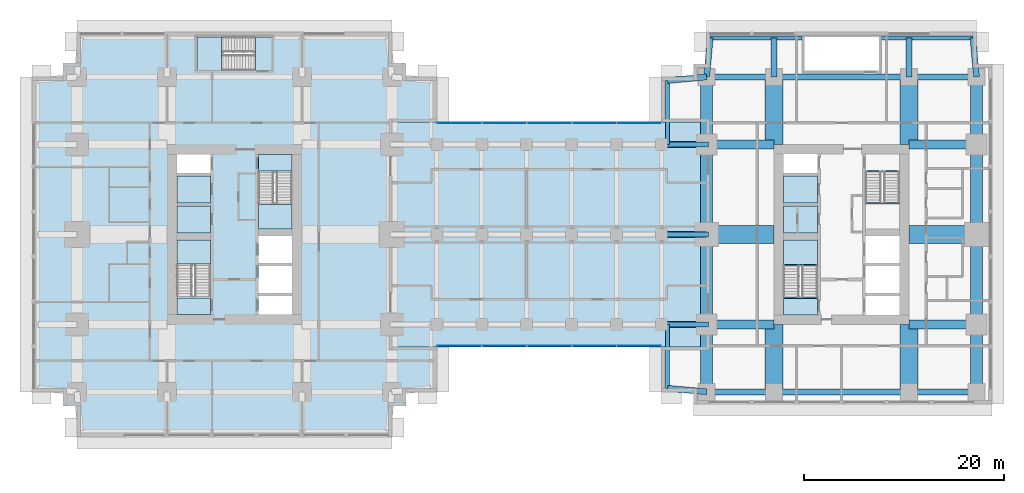
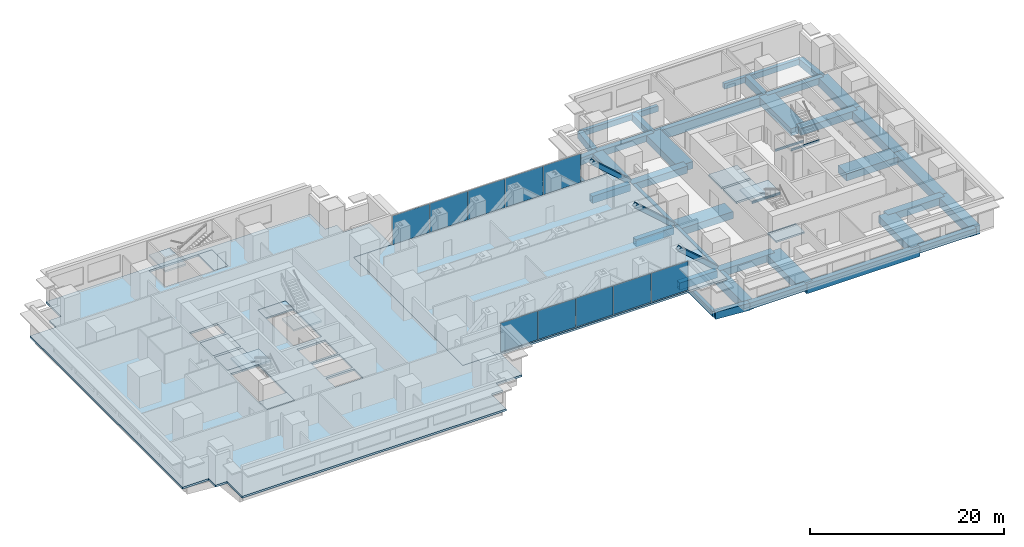
# One storey, part 5 of 14: 41 beams, 14 slabs, 10 plates, 3 members, 6 elements without a shape of their own.
"""IFC4 building model written with IfcOpenShell, lengths in metres."""

import ifcopenshell
import ifcopenshell.guid

model = None  # the IFC model being written
_history = None  # IfcOwnerHistory: only IFC2X3 demands one
_inside = {}  # id of a spatial element -> (the spatial element, [elements in it])
_under = {}  # id of a project, library or spatial element -> (it, [spatial elements below it])
_declared = {}  # id of a project -> (the project, [libraries it declares])
_typed = {}  # id of a type object -> (the type object, [elements of that type])
_made_of = {}  # id of a material, layer set ... -> (it, [elements and type objects made of it])


def new_model(schema):
    """Start an empty IFC model of exactly this schema.

    Asked for "IFC4X3", IfcOpenShell would pick the latest addendum, in which some entities
    have other attributes; the version numbers below select the first issue.
    IFC2X3 requires an IfcOwnerHistory on every rooted entity: one is made here for all.
    """
    global model, _history
    if schema == "IFC4X3":
        model = ifcopenshell.file(schema_version=(4, 3, 0, 0))
    else:
        model = ifcopenshell.file(schema=schema)
    _inside.clear()
    _under.clear()
    _declared.clear()
    _typed.clear()
    _made_of.clear()
    _history = None
    if model.schema == "IFC2X3":
        org = make("IfcOrganization", Name="unknown")
        user = make(
            "IfcPersonAndOrganization",
            ThePerson=make("IfcPerson", FamilyName="unknown"),
            TheOrganization=org,
        )
        app = make(
            "IfcApplication",
            ApplicationDeveloper=org,
            Version="unknown",
            ApplicationFullName="unknown",
            ApplicationIdentifier="unknown",
        )
        _history = make(
            "IfcOwnerHistory",
            OwningUser=user,
            OwningApplication=app,
            ChangeAction="ADDED",
            CreationDate=0,
        )
    return model


def make(cls, **values):
    """One entity of the class cls with the attributes given. An attribute that is None is left unset."""
    return model.create_entity(
        cls, **{name: value for name, value in values.items() if value is not None}
    )


def rooted(cls, **values):
    """An entity with a GlobalId (a new one), such as an element, a storey or a relation."""
    return make(cls, GlobalId=ifcopenshell.guid.new(), OwnerHistory=_history, **values)


def si_unit(unit_type, name, prefix=None):
    """IfcSIUnit, for example si_unit("LENGTHUNIT", "METRE", prefix="MILLI")."""
    return make("IfcSIUnit", UnitType=unit_type, Prefix=prefix, Name=name)


def assignment(units):
    """IfcUnitAssignment: the units of a project."""
    return None if units is None else make("IfcUnitAssignment", Units=units)


def point(xyz):
    """IfcCartesianPoint."""
    return None if xyz is None else make("IfcCartesianPoint", Coordinates=xyz)


def direction(xyz):
    """IfcDirection."""
    return None if xyz is None else make("IfcDirection", DirectionRatios=xyz)


def frame(location, z_axis=None, x_axis=None):
    """IfcAxis2Placement3D, a coordinate frame: its origin and axes. An axis left out is left unset."""
    return make(
        "IfcAxis2Placement3D",
        Location=point(location),
        Axis=direction(z_axis),
        RefDirection=direction(x_axis),
    )


def frame_2d(location, x_axis=None):
    """IfcAxis2Placement2D, a coordinate frame in the plane: its origin and x axis."""
    return make(
        "IfcAxis2Placement2D", Location=point(location), RefDirection=direction(x_axis)
    )


def origin():
    """The frame at (0, 0, 0) with its axes left unset."""
    return frame((0.0, 0.0, 0.0))


def origin_2d():
    """The frame at (0, 0) in the plane with its x axis left unset."""
    return frame_2d((0.0, 0.0))


def place(relative_to, where):
    """IfcLocalPlacement: puts the frame where relative to a parent placement (None: the world)."""
    return make(
        "IfcLocalPlacement", PlacementRelTo=relative_to, RelativePlacement=where
    )


def context(
    kind, dimensions, precision=None, world=None, true_north=None, identifier=None
):
    """IfcGeometricRepresentationContext, for example the 3D "Model" context."""
    return make(
        "IfcGeometricRepresentationContext",
        ContextIdentifier=identifier,
        ContextType=kind,
        CoordinateSpaceDimension=dimensions,
        Precision=precision,
        WorldCoordinateSystem=world,
        TrueNorth=true_north,
    )


def subcontext(parent, identifier, kind, view, scale=None):
    """IfcGeometricRepresentationSubContext, for example "Body" below "Model"."""
    return make(
        "IfcGeometricRepresentationSubContext",
        ContextIdentifier=identifier,
        ContextType=kind,
        ParentContext=parent,
        TargetScale=scale,
        TargetView=view,
    )


def project(units=None, contexts=None):
    """IfcProject with its units and contexts."""
    return rooted(
        "IfcProject",
        Name="project",
        RepresentationContexts=contexts,
        UnitsInContext=assignment(units),
    )


def spatial(cls, under=None, at=None, **own):
    """A site, building, storey or space (cls), placed at a placement, below another one or the project."""
    s = rooted(cls, ObjectPlacement=at, **own)
    if under is not None:
        _under.setdefault(under.id(), (under, []))[1].append(s)
    return s


def polyline(points):
    """IfcPolyline through the points."""
    return make("IfcPolyline", Points=[point(p) for p in points])


def profile(cls, at=None, kind="AREA", **sizes):
    """A parametric profile (cls). Its sizes go by their IFC names, for example OverallWidth=200.0."""
    return make(cls, ProfileType=kind, Position=at, **sizes)


def rectangle(**sizes):
    """IfcRectangleProfileDef."""
    return profile("IfcRectangleProfileDef", **sizes)


def hollow_rectangle(**sizes):
    """IfcRectangleHollowProfileDef."""
    return profile("IfcRectangleHollowProfileDef", **sizes)


def i_section(**sizes):
    """IfcIShapeProfileDef."""
    return profile("IfcIShapeProfileDef", **sizes)


def outline(outer, holes=None, kind="AREA"):
    """IfcArbitraryClosedProfileDef: a profile drawn as a closed curve; with holes, ...WithVoids."""
    if holes is None:
        return make("IfcArbitraryClosedProfileDef", ProfileType=kind, OuterCurve=outer)
    return make(
        "IfcArbitraryProfileDefWithVoids",
        ProfileType=kind,
        OuterCurve=outer,
        InnerCurves=holes,
    )


def extrude(swept, where, along, depth):
    """IfcExtrudedAreaSolid: the profile swept, set in the frame where, extruded along a direction by depth."""
    return make(
        "IfcExtrudedAreaSolid",
        SweptArea=swept,
        Position=where,
        ExtrudedDirection=direction(along),
        Depth=depth,
    )


def shape(context_of_items, identifier, shape_type, items):
    """IfcShapeRepresentation: the items that make up one representation, for example the "Body"."""
    return make(
        "IfcShapeRepresentation",
        ContextOfItems=context_of_items,
        RepresentationIdentifier=identifier,
        RepresentationType=shape_type,
        Items=items,
    )


def material(Name=None, Category=None):
    """IfcMaterial."""
    return make("IfcMaterial", Name=Name, Category=Category)


def layer(
    of_material, thickness, ventilated=None, Name=None, Category=None, Priority=None
):
    """IfcMaterialLayer: one layer of a wall or slab, of a material (None: an air gap)."""
    return make(
        "IfcMaterialLayer",
        Material=of_material,
        LayerThickness=thickness,
        IsVentilated=ventilated,
        Name=Name,
        Category=Category,
        Priority=Priority,
    )


def layer_set(layers, Name=None):
    """IfcMaterialLayerSet."""
    return make("IfcMaterialLayerSet", MaterialLayers=layers, LayerSetName=Name)


def material_profile(
    of_material, cross_section, Name=None, Category=None, Priority=None
):
    """IfcMaterialProfile: a cross section and its material."""
    return make(
        "IfcMaterialProfile",
        Name=Name,
        Material=of_material,
        Profile=cross_section,
        Priority=Priority,
        Category=Category,
    )


def profile_set(profiles, Name=None, composite=None):
    """IfcMaterialProfileSet."""
    return make(
        "IfcMaterialProfileSet",
        Name=Name,
        MaterialProfiles=profiles,
        CompositeProfile=composite,
    )


def made_of(thing, what):
    """Note that an element or type object is made of a material, layer set ...; save() writes the relation."""
    if what is not None:
        _made_of.setdefault(what.id(), (what, []))[1].append(thing)
    return thing


def type_object(cls, material=None, **own):
    """A type object (cls), such as IfcWallType, which elements share."""
    return made_of(rooted(cls, **own), material)


def element(
    cls,
    number,
    at=None,
    inside=None,
    cuts=None,
    type_object=None,
    material=None,
    context=None,
    identifier="Body",
    shape_type=None,
    held_by="IfcProductDefinitionShape",
    body=None,
    shapes=None,
    **own,
):
    """One element of the class cls, such as IfcWall. Its Tag is "e" and its number.

    at: its placement. inside: the storey or other place that contains it. cuts: it is an
    opening in that element (IfcRelVoidsElement). A single representation is given by context,
    identifier, shape_type and body (its items); several are given by shapes. held_by: the class
    of the entity that holds the representations. save() writes the other relations.
    """
    e = rooted(cls, Tag="e%d" % number, ObjectPlacement=at, **own)
    if body is not None:
        shapes = [shape(context, identifier, shape_type, body)]
    if shapes is not None:
        e.Representation = make(held_by, Representations=shapes)
    if inside is not None:
        _inside.setdefault(inside.id(), (inside, []))[1].append(e)
    if cuts is not None:
        rooted(
            "IfcRelVoidsElement", RelatingBuildingElement=cuts, RelatedOpeningElement=e
        )
    if type_object is not None:
        _typed.setdefault(type_object.id(), (type_object, []))[1].append(e)
    return made_of(e, material)


def aggregate(whole, parts):
    """IfcRelAggregates: a whole, such as a stair, and the parts it consists of."""
    return rooted("IfcRelAggregates", RelatingObject=whole, RelatedObjects=parts)


def save(model, path):
    """Write the relations noted so far, then the file.

    IfcRelAggregates (storeys below a building ...), IfcRelContainedInSpatialStructure (elements
    in a storey), IfcRelDefinesByType, IfcRelAssociatesMaterial and IfcRelDeclares: one each for
    every whole, place, type object, material and project.
    """
    for whole, parts in _under.values():
        aggregate(whole, parts)
    for where, things in _inside.values():
        rooted(
            "IfcRelContainedInSpatialStructure",
            RelatedElements=things,
            RelatingStructure=where,
        )
    for kind, things in _typed.values():
        rooted("IfcRelDefinesByType", RelatedObjects=things, RelatingType=kind)
    for what, things in _made_of.values():
        rooted("IfcRelAssociatesMaterial", RelatedObjects=things, RelatingMaterial=what)
    for by, libraries in _declared.values():
        rooted("IfcRelDeclares", RelatingContext=by, RelatedDefinitions=libraries)
    model.write(path)


model = new_model("IFC4")

# Units and contexts
model_context = context("Model", 3, precision=1e-05, world=origin(), true_north=direction((0.0, 1.0)))
body_context = subcontext(model_context, "Body", "Model", "MODEL_VIEW")
ifc_project = project(units=[si_unit("LENGTHUNIT", "METRE"), si_unit("AREAUNIT", "SQUARE_METRE"), si_unit("VOLUMEUNIT", "CUBIC_METRE"), si_unit("PLANEANGLEUNIT", "RADIAN"), si_unit("MASSUNIT", "GRAM", prefix="KILO")], contexts=[model_context])

# Site, building, storey
site_placement = place(None, origin())
site = spatial("IfcSite", under=ifc_project, at=site_placement, CompositionType="ELEMENT")
building_placement = place(site_placement, origin())
building = spatial("IfcBuilding", under=site, at=building_placement, Name="Namib Vertical Campus", CompositionType="ELEMENT")
storey_placement = place(building_placement, frame((0.0, 0.0, 133.0)))
storey = spatial("IfcBuildingStorey", under=building, at=storey_placement, Name="L31", CompositionType="ELEMENT", Elevation=133.0)

# Members
ifc_material_1 = material(Name="Steel S355JR", Category="steel")
ifc_material_profile_1 = material_profile(ifc_material_1, hollow_rectangle(XDim=0.5, YDim=0.5, WallThickness=0.031982421875, at=origin_2d()))
ifc_profile_set_1 = profile_set([ifc_material_profile_1], Name="Steel S355JR")
member_type = type_object("IfcMemberType", Name="Bridge end brace WB 500x500x32", PredefinedType="BRACE", material=ifc_profile_set_1)
for number, where, z_axis, x_axis, name in (
    (1, (67.5, 11.25, 0.0), (-0.747409318684, 0.0, 0.66436383883), (0.0, -1.0, 0.0), "Bridge brace BX1 L31 T1 bay 7"),
    (2, (67.5, 20.25, 0.0), (-0.747409318684, 0.0, 0.66436383883), (0.0, -1.0, 0.0), "Bridge brace BX1 L31 T2 bay 7"),
    (3, (67.5, 29.25, 0.0), (-0.747409318684, 0.0, 0.66436383883), (0.0, -1.0, 0.0), "Bridge brace BX1 L31 T3 bay 7"),
):
    element("IfcMember", number, at=place(storey_placement, frame(where, z_axis=z_axis, x_axis=x_axis)), inside=storey, type_object=member_type, Name=name, PredefinedType="BRACE", context=body_context, shape_type="SweptSolid", body=[
        extrude(hollow_rectangle(XDim=0.5, YDim=0.5, WallThickness=0.031982421875, at=origin_2d()), origin(), (0.0, 0.0, 1.0), 6.020751953125),
    ])

# Beams
ifc_material_2 = material(Name="Steel S355JR", Category="steel")
ifc_material_profile_2 = material_profile(ifc_material_2, hollow_rectangle(XDim=0.60009765625, YDim=0.89990234375, WallThickness=0.050048828125, at=origin_2d()))
ifc_profile_set_2 = profile_set([ifc_material_profile_2], Name="Steel S355JR")
beam_type_1 = type_object("IfcBeamType", Name="Bridge girder WB 900x600x50", PredefinedType="BEAM", material=ifc_profile_set_2)
for number, where, z_axis, x_axis, name in (
    (4, (63.0, 11.25, -0.699951171875), (1.0, 0.0, 0.0), (0.0, 1.0, 0.0), "Bridge girder BG1 L31"),
    (5, (63.0, 20.25, -0.699951171875), (1.0, 0.0, 0.0), (0.0, 1.0, 0.0), "Bridge girder BG1 L31"),
    (6, (63.0, 29.25, -0.699951171875), (1.0, 0.0, 0.0), (0.0, 1.0, 0.0), "Bridge girder BG1 L31"),
):
    element("IfcBeam", number, at=place(storey_placement, frame(where, z_axis=z_axis, x_axis=x_axis)), inside=storey, type_object=beam_type_1, Name=name, PredefinedType="BEAM", context=body_context, shape_type="SweptSolid", body=[
        extrude(hollow_rectangle(XDim=0.60009765625, YDim=0.89990234375, WallThickness=0.050048828125, at=origin_2d()), origin(), (0.0, 0.0, 1.0), 4.5),
    ])
ifc_material_3 = material(Name="Concrete C40/50", Category="concrete")
ifc_material_profile_3 = material_profile(ifc_material_3, rectangle(XDim=0.60009765625, YDim=0.89990234375, at=origin_2d()))
ifc_profile_set_3 = profile_set([ifc_material_profile_3], Name="Concrete C40/50")
beam_type_2 = type_object("IfcBeamType", Name="Cantilever girder RC 600x900", PredefinedType="BEAM", material=ifc_profile_set_3)
beam_1_placement = place(storey_placement, frame((67.5, 36.0, -0.699951171875), z_axis=(0.089411326146, 0.995994786511, 0.0), x_axis=(-0.995994786511, 0.089411326146, 0.0)))
element("IfcBeam", 7, at=beam_1_placement, inside=storey, type_object=beam_type_2, Name="Beam B3 L31", PredefinedType="BEAM", context=body_context, shape_type="SweptSolid", body=[
    extrude(rectangle(XDim=0.60009765625, YDim=0.89990234375, at=origin_2d()), origin(), (0.0, 0.0, 1.0), 3.91552734375),
])
for number, where, z_axis, x_axis, name in (
    (8, (74.25, 36.0, -0.699951171875), (0.0, 1.0, 0.0), (-1.0, 0.0, 0.0), "Beam B3 L31"),
    (9, (87.75, 36.0, -0.699951171875), (0.0, 1.0, 0.0), (-1.0, 0.0, 0.0), "Beam B3 L31"),
):
    element("IfcBeam", number, at=place(storey_placement, frame(where, z_axis=z_axis, x_axis=x_axis)), inside=storey, type_object=beam_type_2, Name=name, PredefinedType="BEAM", context=body_context, shape_type="SweptSolid", body=[
        extrude(rectangle(XDim=0.60009765625, YDim=0.89990234375, at=origin_2d()), origin(), (0.0, 0.0, 1.0), 3.89990234375),
    ])
for number, where, z_axis, x_axis, name in (
    (10, (94.5, 36.0, -0.699951171875), (-0.089411326146, 0.995994786511, 0.0), (-0.995994786511, -0.089411326146, 0.0), "Beam B3 L31"),
    (11, (67.5, 4.5, -0.699951171875), (-0.995994786511, 0.089411326146, 0.0), (-0.089411326146, -0.995994786511, 0.0), "Beam B3 L31"),
    (12, (67.5, 36.0, -0.699951171875), (-0.995994786511, -0.089411326146, 0.0), (0.089411326146, -0.995994786511, 0.0), "Beam B3 L31"),
):
    element("IfcBeam", number, at=place(storey_placement, frame(where, z_axis=z_axis, x_axis=x_axis)), inside=storey, type_object=beam_type_2, Name=name, PredefinedType="BEAM", context=body_context, shape_type="SweptSolid", body=[
        extrude(rectangle(XDim=0.60009765625, YDim=0.89990234375, at=origin_2d()), origin(), (0.0, 0.0, 1.0), 3.91552734375),
    ])
ifc_material_4 = material(Name="Concrete C40/50", Category="concrete")
ifc_material_profile_4 = material_profile(ifc_material_4, rectangle(XDim=0.39990234375, YDim=0.699951171875, at=origin_2d()))
ifc_profile_set_4 = profile_set([ifc_material_profile_4], Name="Concrete C40/50")
beam_type_3 = type_object("IfcBeamType", Name="Edge beam RC 400x700", PredefinedType="SPANDREL", material=ifc_profile_set_4)
for number, where, z_axis, x_axis, name in (
    (13, (67.85009765625, 39.89990234375, -0.60009765625), (1.0, 0.0, 0.0), (0.0, 1.0, 0.0), "Beam B4 L31"),
    (14, (84.949951171875, 39.89990234375, -0.60009765625), (1.0, 0.0, 0.0), (0.0, 1.0, 0.0), "Beam B4 L31"),
):
    element("IfcBeam", number, at=place(storey_placement, frame(where, z_axis=z_axis, x_axis=x_axis)), inside=storey, type_object=beam_type_3, Name=name, PredefinedType="SPANDREL", context=body_context, shape_type="SweptSolid", body=[
        extrude(rectangle(XDim=0.39990234375, YDim=0.699951171875, at=origin_2d()), origin(), (0.0, 0.0, 1.0), 9.199951171875),
    ])
for number, where, z_axis, x_axis, name in (
    (15, (63.60009765625, 4.85009765625, -0.60009765625), (0.0, 1.0, 0.0), (-1.0, 0.0, 0.0), "Beam B4 L31"),
    (16, (63.60009765625, 29.25, -0.60009765625), (0.0, 1.0, 0.0), (-1.0, 0.0, 0.0), "Beam B4 L31"),
):
    element("IfcBeam", number, at=place(storey_placement, frame(where, z_axis=z_axis, x_axis=x_axis)), inside=storey, type_object=beam_type_3, Name=name, PredefinedType="SPANDREL", context=body_context, shape_type="SweptSolid", body=[
        extrude(rectangle(XDim=0.39990234375, YDim=0.699951171875, at=origin_2d()), origin(), (0.0, 0.0, 1.0), 6.39990234375),
    ])
ifc_material_5 = material(Name="Concrete C40/50", Category="concrete")
ifc_material_profile_5 = material_profile(ifc_material_5, rectangle(XDim=0.89990234375, YDim=0.89990234375, at=origin_2d()))
ifc_profile_set_5 = profile_set([ifc_material_profile_5], Name="Concrete C40/50")
beam_type_4 = type_object("IfcBeamType", Name="Face girder RC 900x900", PredefinedType="BEAM", material=ifc_profile_set_5)
for number, where, z_axis, x_axis, name in (
    (17, (67.5, 11.25, -0.699951171875), (1.0, 0.0, 0.0), (0.0, 1.0, 0.0), "Beam B10 L31"),
    (18, (94.5, 11.25, -0.699951171875), (-1.0, 0.0, 0.0), (0.0, -1.0, 0.0), "Beam B10 L31"),
    (19, (67.5, 29.25, -0.699951171875), (1.0, 0.0, 0.0), (0.0, 1.0, 0.0), "Beam B10 L31"),
    (20, (94.5, 29.25, -0.699951171875), (-1.0, 0.0, 0.0), (0.0, -1.0, 0.0), "Beam B10 L31"),
):
    element("IfcBeam", number, at=place(storey_placement, frame(where, z_axis=z_axis, x_axis=x_axis)), inside=storey, type_object=beam_type_4, Name=name, PredefinedType="BEAM", context=body_context, shape_type="SweptSolid", body=[
        extrude(rectangle(XDim=0.89990234375, YDim=0.89990234375, at=origin_2d()), origin(), (0.0, 0.0, 1.0), 6.75),
    ])
ifc_material_6 = material(Name="Concrete C40/50", Category="concrete")
ifc_material_profile_6 = material_profile(ifc_material_6, rectangle(XDim=1.199951171875, YDim=1.10009765625, at=origin_2d()))
ifc_profile_set_6 = profile_set([ifc_material_profile_6], Name="Concrete C40/50")
beam_type_5 = type_object("IfcBeamType", Name="Face ring beam RC 1200x1100", PredefinedType="BEAM", material=ifc_profile_set_6)
beam_2_placement = place(storey_placement, frame((67.5, 4.5, -0.800048828125), z_axis=(0.0, 1.0, 0.0), x_axis=(-1.0, 0.0, 0.0)))
element("IfcBeam", 21, at=beam_2_placement, inside=storey, type_object=beam_type_5, Name="Beam B11 L31", PredefinedType="BEAM", context=body_context, shape_type="SweptSolid", body=[
    extrude(rectangle(XDim=1.199951171875, YDim=1.10009765625, at=origin_2d()), origin(), (0.0, 0.0, 1.0), 6.75),
])
for number, where, z_axis, x_axis, name in (
    (22, (67.5, 11.25, -0.800048828125), (0.0, 1.0, 0.0), (-1.0, 0.0, 0.0), "Beam B11 L31"),
    (23, (67.5, 20.25, -0.800048828125), (0.0, 1.0, 0.0), (-1.0, 0.0, 0.0), "Beam B11 L31"),
):
    element("IfcBeam", number, at=place(storey_placement, frame(where, z_axis=z_axis, x_axis=x_axis)), inside=storey, type_object=beam_type_5, Name=name, PredefinedType="BEAM", context=body_context, shape_type="SweptSolid", body=[
        extrude(rectangle(XDim=1.199951171875, YDim=1.10009765625, at=origin_2d()), origin(), (0.0, 0.0, 1.0), 9.0),
    ])
for number, where, z_axis, x_axis, name in (
    (24, (67.5, 29.25, -0.800048828125), (0.0, 1.0, 0.0), (-1.0, 0.0, 0.0), "Beam B11 L31"),
    (25, (94.5, 4.5, -0.800048828125), (0.0, 1.0, 0.0), (-1.0, 0.0, 0.0), "Beam B11 L31"),
):
    element("IfcBeam", number, at=place(storey_placement, frame(where, z_axis=z_axis, x_axis=x_axis)), inside=storey, type_object=beam_type_5, Name=name, PredefinedType="BEAM", context=body_context, shape_type="SweptSolid", body=[
        extrude(rectangle(XDim=1.199951171875, YDim=1.10009765625, at=origin_2d()), origin(), (0.0, 0.0, 1.0), 6.75),
    ])
for number, where, z_axis, x_axis, name in (
    (26, (94.5, 11.25, -0.800048828125), (0.0, 1.0, 0.0), (-1.0, 0.0, 0.0), "Beam B11 L31"),
    (27, (94.5, 20.25, -0.800048828125), (0.0, 1.0, 0.0), (-1.0, 0.0, 0.0), "Beam B11 L31"),
):
    element("IfcBeam", number, at=place(storey_placement, frame(where, z_axis=z_axis, x_axis=x_axis)), inside=storey, type_object=beam_type_5, Name=name, PredefinedType="BEAM", context=body_context, shape_type="SweptSolid", body=[
        extrude(rectangle(XDim=1.199951171875, YDim=1.10009765625, at=origin_2d()), origin(), (0.0, 0.0, 1.0), 9.0),
    ])
beam_3_placement = place(storey_placement, frame((94.5, 29.25, -0.800048828125), z_axis=(0.0, 1.0, 0.0), x_axis=(-1.0, 0.0, 0.0)))
element("IfcBeam", 28, at=beam_3_placement, inside=storey, type_object=beam_type_5, Name="Beam B11 L31", PredefinedType="BEAM", context=body_context, shape_type="SweptSolid", body=[
    extrude(rectangle(XDim=1.199951171875, YDim=1.10009765625, at=origin_2d()), origin(), (0.0, 0.0, 1.0), 6.75),
])
ifc_material_7 = material(Name="Steel S355JR", Category="steel")
ifc_material_profile_7 = material_profile(ifc_material_7, i_section(OverallWidth=0.14599609375, OverallDepth=0.25146484375, WebThickness=0.006103515625, FlangeThickness=0.008544921875, FilletRadius=0.007568359375, at=origin_2d()))
ifc_profile_set_7 = profile_set([ifc_material_profile_7], Name="Steel S355JR")
beam_type_6 = type_object("IfcBeamType", Name="Landing trimmer UB 254x146x31", PredefinedType="BEAM", material=ifc_profile_set_7)
for number, where, z_axis, x_axis, name in (
    (29, (75.199951171875, 13.927001953125, -0.125732421875), (1.0, 0.0, 0.0), (0.0, 1.0, 0.0), "Landing trimmer LT1 B-S1 L31 1"),
    (30, (75.199951171875, 17.153076171875, 1.874267578125), (1.0, 0.0, 0.0), (0.0, 1.0, 0.0), "Landing trimmer LT1 B-S1 L31 2"),
    (31, (83.39990234375, 26.572998046875, -0.125732421875), (1.0, 0.0, 0.0), (0.0, 1.0, 0.0), "Landing trimmer LT1 B-S2 L31 1"),
    (32, (83.39990234375, 23.346923828125, 1.874267578125), (1.0, 0.0, 0.0), (0.0, 1.0, 0.0), "Landing trimmer LT1 B-S2 L31 2"),
):
    element("IfcBeam", number, at=place(storey_placement, frame(where, z_axis=z_axis, x_axis=x_axis)), inside=storey, type_object=beam_type_6, Name=name, PredefinedType="BEAM", context=body_context, shape_type="SweptSolid", body=[
        extrude(i_section(OverallWidth=0.14599609375, OverallDepth=0.25146484375, WebThickness=0.006103515625, FlangeThickness=0.008544921875, FilletRadius=0.007568359375, at=origin_2d()), origin(), (0.0, 0.0, 1.0), 3.400146484375),
    ])
ifc_material_8 = material(Name="Concrete C40/50", Category="concrete")
ifc_material_profile_8 = material_profile(ifc_material_8, rectangle(XDim=0.60009765625, YDim=1.199951171875, at=origin_2d()))
ifc_profile_set_8 = profile_set([ifc_material_profile_8], Name="Concrete C40/50")
beam_type_7 = type_object("IfcBeamType", Name="Long-span ring beam RC 600x1200", PredefinedType="BEAM", material=ifc_profile_set_8)
for number, where, z_axis, x_axis, name in (
    (33, (74.25, 4.5, -0.85009765625), (1.0, 0.0, 0.0), (0.0, 1.0, 0.0), "Beam B9 L31"),
    (34, (74.25, 36.0, -0.85009765625), (1.0, 0.0, 0.0), (0.0, 1.0, 0.0), "Beam B9 L31"),
):
    element("IfcBeam", number, at=place(storey_placement, frame(where, z_axis=z_axis, x_axis=x_axis)), inside=storey, type_object=beam_type_7, Name=name, PredefinedType="BEAM", context=body_context, shape_type="SweptSolid", body=[
        extrude(rectangle(XDim=0.60009765625, YDim=1.199951171875, at=origin_2d()), origin(), (0.0, 0.0, 1.0), 13.5),
    ])
ifc_material_9 = material(Name="Concrete C40/50", Category="concrete")
ifc_material_profile_9 = material_profile(ifc_material_9, rectangle(XDim=1.800048828125, YDim=0.89990234375, at=origin_2d()))
ifc_profile_set_9 = profile_set([ifc_material_profile_9], Name="Concrete C40/50")
beam_type_8 = type_object("IfcBeamType", Name="Outrigger line girder RC 1800x900", PredefinedType="BEAM", material=ifc_profile_set_9)
for number, where, z_axis, x_axis, name in (
    (35, (74.25, 4.5, -0.699951171875), (0.0, 1.0, 0.0), (-1.0, 0.0, 0.0), "Beam B12 L31"),
    (36, (74.25, 36.0, -0.699951171875), (0.0, -1.0, 0.0), (1.0, 0.0, 0.0), "Beam B12 L31"),
    (37, (87.75, 4.5, -0.699951171875), (0.0, 1.0, 0.0), (-1.0, 0.0, 0.0), "Beam B12 L31"),
    (38, (87.75, 36.0, -0.699951171875), (0.0, -1.0, 0.0), (1.0, 0.0, 0.0), "Beam B12 L31"),
    (39, (67.5, 20.25, -0.699951171875), (1.0, 0.0, 0.0), (0.0, 1.0, 0.0), "Beam B12 L31"),
    (40, (94.5, 20.25, -0.699951171875), (-1.0, 0.0, 0.0), (0.0, -1.0, 0.0), "Beam B12 L31"),
):
    element("IfcBeam", number, at=place(storey_placement, frame(where, z_axis=z_axis, x_axis=x_axis)), inside=storey, type_object=beam_type_8, Name=name, PredefinedType="BEAM", context=body_context, shape_type="SweptSolid", body=[
        extrude(rectangle(XDim=1.800048828125, YDim=0.89990234375, at=origin_2d()), origin(), (0.0, 0.0, 1.0), 6.75),
    ])
ifc_material_10 = material(Name="Concrete C40/50", Category="concrete")
ifc_material_profile_10 = material_profile(ifc_material_10, rectangle(XDim=0.60009765625, YDim=0.800048828125, at=origin_2d()))
ifc_profile_set_10 = profile_set([ifc_material_profile_10], Name="Concrete C40/50")
beam_type_9 = type_object("IfcBeamType", Name="Ring beam RC 600x800", PredefinedType="BEAM", material=ifc_profile_set_10)
for number, where, z_axis, x_axis, name in (
    (41, (67.5, 4.5, -0.64990234375), (1.0, 0.0, 0.0), (0.0, 1.0, 0.0), "Beam B1 L31"),
    (42, (87.75, 4.5, -0.64990234375), (1.0, 0.0, 0.0), (0.0, 1.0, 0.0), "Beam B1 L31"),
    (43, (67.5, 36.0, -0.64990234375), (1.0, 0.0, 0.0), (0.0, 1.0, 0.0), "Beam B1 L31"),
    (44, (87.75, 36.0, -0.64990234375), (1.0, 0.0, 0.0), (0.0, 1.0, 0.0), "Beam B1 L31"),
):
    element("IfcBeam", number, at=place(storey_placement, frame(where, z_axis=z_axis, x_axis=x_axis)), inside=storey, type_object=beam_type_9, Name=name, PredefinedType="BEAM", context=body_context, shape_type="SweptSolid", body=[
        extrude(rectangle(XDim=0.60009765625, YDim=0.800048828125, at=origin_2d()), origin(), (0.0, 0.0, 1.0), 6.75),
    ])

# Curtain wall, plates
ifc_material_11 = material(Name="Black aluminium curtain wall", Category="aluminium")
ifc_layer_1 = layer(ifc_material_11, 0.199951171875)
ifc_layer_set_1 = layer_set([ifc_layer_1], Name="Bridge curtain wall CW-BR")
curtain_wall_type = type_object("IfcCurtainWallType", Name="Bridge curtain wall CW-BR", PredefinedType="USERDEFINED", material=ifc_layer_set_1)
curtain_wall_1_placement = place(storey_placement, origin())
curtain_wall_1 = element("IfcCurtainWall", 45, at=curtain_wall_1_placement, inside=storey, type_object=curtain_wall_type, Name="Curtain wall CW-BR L31 S", ObjectType="CURTAIN WALL", PredefinedType="USERDEFINED")
ifc_material_12 = material(Name="Dark tinted glass", Category="glass")
ifc_layer_2 = layer(ifc_material_12, 0.028076171875)
ifc_layer_set_2 = layer_set([ifc_layer_2], Name="Dark solar glass panel 28")
plate_type = type_object("IfcPlateType", Name="Dark solar glass panel 28", PredefinedType="CURTAIN_PANEL", material=ifc_layer_set_2)
plate_1_placement = place(storey_placement, frame((42.764892578125, 9.10009765625, 0.06005859375), z_axis=(0.0, 0.0, 1.0), x_axis=(1.0, 0.0, 0.0)))
plate_1 = element("IfcPlate", 46, at=plate_1_placement, type_object=plate_type, Name="CW-BR panel 1.1", PredefinedType="CURTAIN_PANEL", context=body_context, shape_type="SweptSolid", body=[
    extrude(rectangle(XDim=4.409912109375, YDim=0.028076171875, at=origin_2d()), origin(), (0.0, 0.0, 1.0), 3.6298828125),
])
plate_2_placement = place(storey_placement, frame((47.25, 9.10009765625, 0.06005859375), z_axis=(0.0, 0.0, 1.0), x_axis=(1.0, 0.0, 0.0)))
plate_2 = element("IfcPlate", 47, at=plate_2_placement, type_object=plate_type, Name="CW-BR panel 2.1", PredefinedType="CURTAIN_PANEL", context=body_context, shape_type="SweptSolid", body=[
    extrude(rectangle(XDim=4.43994140625, YDim=0.028076171875, at=origin_2d()), origin(), (0.0, 0.0, 1.0), 3.6298828125),
])
plate_3_placement = place(storey_placement, frame((51.75, 9.10009765625, 0.06005859375), z_axis=(0.0, 0.0, 1.0), x_axis=(1.0, 0.0, 0.0)))
plate_3 = element("IfcPlate", 48, at=plate_3_placement, type_object=plate_type, Name="CW-BR panel 3.1", PredefinedType="CURTAIN_PANEL", context=body_context, shape_type="SweptSolid", body=[
    extrude(rectangle(XDim=4.43994140625, YDim=0.028076171875, at=origin_2d()), origin(), (0.0, 0.0, 1.0), 3.6298828125),
])
plate_4_placement = place(storey_placement, frame((56.25, 9.10009765625, 0.06005859375), z_axis=(0.0, 0.0, 1.0), x_axis=(1.0, 0.0, 0.0)))
plate_4 = element("IfcPlate", 49, at=plate_4_placement, type_object=plate_type, Name="CW-BR panel 4.1", PredefinedType="CURTAIN_PANEL", context=body_context, shape_type="SweptSolid", body=[
    extrude(rectangle(XDim=4.43994140625, YDim=0.028076171875, at=origin_2d()), origin(), (0.0, 0.0, 1.0), 3.6298828125),
])
plate_5_placement = place(storey_placement, frame((60.735107421875, 9.10009765625, 0.06005859375), z_axis=(0.0, 0.0, 1.0), x_axis=(1.0, 0.0, 0.0)))
plate_5 = element("IfcPlate", 50, at=plate_5_placement, type_object=plate_type, Name="CW-BR panel 5.1", PredefinedType="CURTAIN_PANEL", context=body_context, shape_type="SweptSolid", body=[
    extrude(rectangle(XDim=4.409912109375, YDim=0.028076171875, at=origin_2d()), origin(), (0.0, 0.0, 1.0), 3.6298828125),
])
aggregate(curtain_wall_1, [plate_1, plate_2, plate_3, plate_4, plate_5])

curtain_wall_2_placement = place(storey_placement, origin())
curtain_wall_2 = element("IfcCurtainWall", 51, at=curtain_wall_2_placement, inside=storey, type_object=curtain_wall_type, Name="Curtain wall CW-BR L31 N", ObjectType="CURTAIN WALL", PredefinedType="USERDEFINED")
plate_6_placement = place(storey_placement, frame((60.735107421875, 31.39990234375, 0.06005859375), z_axis=(0.0, 0.0, 1.0), x_axis=(-1.0, 0.0, 0.0)))
plate_6 = element("IfcPlate", 52, at=plate_6_placement, type_object=plate_type, Name="CW-BR panel 1.1", PredefinedType="CURTAIN_PANEL", context=body_context, shape_type="SweptSolid", body=[
    extrude(rectangle(XDim=4.409912109375, YDim=0.028076171875, at=origin_2d()), origin(), (0.0, 0.0, 1.0), 3.6298828125),
])
plate_7_placement = place(storey_placement, frame((56.25, 31.39990234375, 0.06005859375), z_axis=(0.0, 0.0, 1.0), x_axis=(-1.0, 0.0, 0.0)))
plate_7 = element("IfcPlate", 53, at=plate_7_placement, type_object=plate_type, Name="CW-BR panel 2.1", PredefinedType="CURTAIN_PANEL", context=body_context, shape_type="SweptSolid", body=[
    extrude(rectangle(XDim=4.43994140625, YDim=0.028076171875, at=origin_2d()), origin(), (0.0, 0.0, 1.0), 3.6298828125),
])
plate_8_placement = place(storey_placement, frame((51.75, 31.39990234375, 0.06005859375), z_axis=(0.0, 0.0, 1.0), x_axis=(-1.0, 0.0, 0.0)))
plate_8 = element("IfcPlate", 54, at=plate_8_placement, type_object=plate_type, Name="CW-BR panel 3.1", PredefinedType="CURTAIN_PANEL", context=body_context, shape_type="SweptSolid", body=[
    extrude(rectangle(XDim=4.43994140625, YDim=0.028076171875, at=origin_2d()), origin(), (0.0, 0.0, 1.0), 3.6298828125),
])
plate_9_placement = place(storey_placement, frame((47.25, 31.39990234375, 0.06005859375), z_axis=(0.0, 0.0, 1.0), x_axis=(-1.0, 0.0, 0.0)))
plate_9 = element("IfcPlate", 55, at=plate_9_placement, type_object=plate_type, Name="CW-BR panel 4.1", PredefinedType="CURTAIN_PANEL", context=body_context, shape_type="SweptSolid", body=[
    extrude(rectangle(XDim=4.43994140625, YDim=0.028076171875, at=origin_2d()), origin(), (0.0, 0.0, 1.0), 3.6298828125),
])
plate_10_placement = place(storey_placement, frame((42.764892578125, 31.39990234375, 0.06005859375), z_axis=(0.0, 0.0, 1.0), x_axis=(-1.0, 0.0, 0.0)))
plate_10 = element("IfcPlate", 56, at=plate_10_placement, type_object=plate_type, Name="CW-BR panel 5.1", PredefinedType="CURTAIN_PANEL", context=body_context, shape_type="SweptSolid", body=[
    extrude(rectangle(XDim=4.409912109375, YDim=0.028076171875, at=origin_2d()), origin(), (0.0, 0.0, 1.0), 3.6298828125),
])
aggregate(curtain_wall_2, [plate_6, plate_7, plate_8, plate_9, plate_10])

# Slabs
ifc_material_13 = material(Name="Concrete C40/50", Category="concrete")
ifc_layer_3 = layer(ifc_material_13, 0.25)
ifc_layer_set_3 = layer_set([ifc_layer_3], Name="Concrete C40/50")
slab_type_1 = type_object("IfcSlabType", Name="Floor slab 250", PredefinedType="FLOOR", material=ifc_layer_set_3)
slab_1_placement = place(storey_placement, frame((0.0, 0.0, -0.25)))
element("IfcSlab", 57, at=slab_1_placement, inside=storey, type_object=slab_type_1, Name="Floor slab A L31", PredefinedType="FLOOR", context=body_context, shape_type="SweptSolid", body=[
    extrude(outline(polyline([(4.5, 3.10009765625), (4.5, 0.0), (36.0, 0.0), (36.0, 3.10009765625), (37.39990234375, 3.10009765625), (37.39990234375, 4.5), (40.5, 4.5), (40.5, 9.0), (36.0, 9.0), (36.0, 31.5), (40.5, 31.5), (40.5, 36.0), (37.39990234375, 36.0), (37.39990234375, 37.39990234375), (36.0, 37.39990234375), (36.0, 40.5), (4.5, 40.5), (4.5, 37.39990234375), (3.10009765625, 37.39990234375), (3.10009765625, 36.0), (0.0, 36.0), (0.0, 4.5), (3.10009765625, 4.5), (3.10009765625, 3.10009765625), (4.5, 3.10009765625)]), holes=[polyline([(14.5, 12.25), (17.85009765625, 12.25), (17.85009765625, 19.699951171875), (14.5, 19.699951171875), (14.5, 12.25)]), polyline([(22.64990234375, 20.800048828125), (26.0, 20.800048828125), (26.0, 28.25), (22.64990234375, 28.25), (22.64990234375, 20.800048828125)]), polyline([(22.64990234375, 12.25), (26.0, 12.25), (26.0, 14.10009765625), (22.64990234375, 14.10009765625), (22.64990234375, 12.25)]), polyline([(14.5, 20.39990234375), (17.85009765625, 20.39990234375), (17.85009765625, 23.10009765625), (14.5, 23.10009765625), (14.5, 20.39990234375)]), polyline([(14.5, 23.39990234375), (17.85009765625, 23.39990234375), (17.85009765625, 26.10009765625), (14.5, 26.10009765625), (14.5, 23.39990234375)]), polyline([(14.5, 26.39990234375), (17.85009765625, 26.39990234375), (17.85009765625, 28.25), (14.5, 28.25), (14.5, 26.39990234375)]), polyline([(22.64990234375, 14.39990234375), (26.0, 14.39990234375), (26.0, 17.10009765625), (22.64990234375, 17.10009765625), (22.64990234375, 14.39990234375)]), polyline([(22.64990234375, 17.39990234375), (26.0, 17.39990234375), (26.0, 20.10009765625), (22.64990234375, 20.10009765625), (22.64990234375, 17.39990234375)]), polyline([(16.5, 36.64990234375), (24.0, 36.64990234375), (24.0, 40.0), (16.5, 40.0), (16.5, 36.64990234375)])]), origin(), (0.0, 0.0, 1.0), 0.25),
])
slab_2_placement = place(storey_placement, frame((0.0, 0.0, -0.25)))
element("IfcSlab", 58, at=slab_2_placement, inside=storey, type_object=slab_type_1, Name="Bridge floor L31", PredefinedType="FLOOR", context=body_context, shape_type="SweptSolid", body=[
    extrude(outline(polyline([(36.0, 9.0), (67.5, 9.0), (67.5, 31.5), (36.0, 31.5), (36.0, 9.0)])), origin(), (0.0, 0.0, 1.0), 0.25),
])
ifc_material_14 = material(Name="Concrete C40/50 precast", Category="concrete")
ifc_layer_4 = layer(ifc_material_14, 0.25)
ifc_layer_set_4 = layer_set([ifc_layer_4], Name="Concrete C40/50 precast")
slab_type_2 = type_object("IfcSlabType", Name="Shaft infill floor 250", PredefinedType="FLOOR", material=ifc_layer_set_4)
slab_3_placement = place(storey_placement, frame((0.0, 0.0, -0.25)))
element("IfcSlab", 59, at=slab_3_placement, inside=storey, type_object=slab_type_2, Name="Shaft infill floor A L31 P1", PredefinedType="FLOOR", context=body_context, shape_type="SweptSolid", body=[
    extrude(outline(polyline([(14.5, 20.39990234375), (17.85009765625, 20.39990234375), (17.85009765625, 23.10009765625), (14.5, 23.10009765625), (14.5, 20.39990234375)])), origin(), (0.0, 0.0, 1.0), 0.25),
])
slab_4_placement = place(storey_placement, frame((0.0, 0.0, -0.25)))
element("IfcSlab", 60, at=slab_4_placement, inside=storey, type_object=slab_type_2, Name="Shaft infill floor A L31 P2", PredefinedType="FLOOR", context=body_context, shape_type="SweptSolid", body=[
    extrude(outline(polyline([(14.5, 23.39990234375), (17.85009765625, 23.39990234375), (17.85009765625, 26.10009765625), (14.5, 26.10009765625), (14.5, 23.39990234375)])), origin(), (0.0, 0.0, 1.0), 0.25),
])
slab_5_placement = place(storey_placement, frame((0.0, 0.0, -0.25)))
element("IfcSlab", 61, at=slab_5_placement, inside=storey, type_object=slab_type_2, Name="Shaft infill floor B L31 P1", PredefinedType="FLOOR", context=body_context, shape_type="SweptSolid", body=[
    extrude(outline(polyline([(75.199951171875, 20.39990234375), (78.60009765625, 20.39990234375), (78.60009765625, 23.10009765625), (75.199951171875, 23.10009765625), (75.199951171875, 20.39990234375)])), origin(), (0.0, 0.0, 1.0), 0.25),
])
slab_6_placement = place(storey_placement, frame((0.0, 0.0, -0.25)))
element("IfcSlab", 62, at=slab_6_placement, inside=storey, type_object=slab_type_2, Name="Shaft infill floor B L31 P2", PredefinedType="FLOOR", context=body_context, shape_type="SweptSolid", body=[
    extrude(outline(polyline([(75.199951171875, 23.39990234375), (78.60009765625, 23.39990234375), (78.60009765625, 26.10009765625), (75.199951171875, 26.10009765625), (75.199951171875, 23.39990234375)])), origin(), (0.0, 0.0, 1.0), 0.25),
])

# Stair, slabs
ifc_material_15 = material(Name="Concrete C40/50 precast", Category="concrete")
stair_type_1 = type_object("IfcStairType", Name="Exit stair 4000 rise 24 risers 3350 wide", PredefinedType="HALF_TURN_STAIR", material=ifc_material_15)
stair_1_placement = place(storey_placement, origin())
stair_1 = element("IfcStair", 63, at=stair_1_placement, inside=storey, type_object=stair_type_1, Name="Exit stair A-S1 L31", PredefinedType="HALF_TURN_STAIR")
ifc_material_16 = material(Name="Concrete C40/50", Category="concrete")
ifc_layer_5 = layer(ifc_material_16, 0.199951171875)
ifc_layer_set_5 = layer_set([ifc_layer_5], Name="Concrete C40/50")
slab_type_3 = type_object("IfcSlabType", Name="Stair landing 200", PredefinedType="LANDING", material=ifc_layer_set_5)
slab_7_placement = place(storey_placement, frame((0.0, 0.0, -0.199951171875)))
slab_7 = element("IfcSlab", 64, at=slab_7_placement, type_object=slab_type_3, Name="A-S1 landing 1", PredefinedType="LANDING", context=body_context, shape_type="SweptSolid", body=[
    extrude(outline(polyline([(14.5, 12.25), (17.85009765625, 12.25), (17.85009765625, 13.90380859375), (14.5, 13.90380859375), (14.5, 12.25)])), origin(), (0.0, 0.0, 1.0), 0.199951171875),
])
slab_8_placement = place(storey_placement, frame((0.0, 0.0, 1.800048828125)))
slab_8 = element("IfcSlab", 65, at=slab_8_placement, type_object=slab_type_3, Name="A-S1 landing 2", PredefinedType="LANDING", context=body_context, shape_type="SweptSolid", body=[
    extrude(outline(polyline([(14.5, 17.276123046875), (17.85009765625, 17.276123046875), (17.85009765625, 19.699951171875), (14.5, 19.699951171875), (14.5, 17.276123046875)])), origin(), (0.0, 0.0, 1.0), 0.199951171875),
])
aggregate(stair_1, [slab_7, slab_8])

stair_2_placement = place(storey_placement, origin())
stair_2 = element("IfcStair", 66, at=stair_2_placement, inside=storey, type_object=stair_type_1, Name="Exit stair A-S2 L31", PredefinedType="HALF_TURN_STAIR")
slab_9_placement = place(storey_placement, frame((0.0, 0.0, -0.199951171875)))
slab_9 = element("IfcSlab", 67, at=slab_9_placement, type_object=slab_type_3, Name="A-S2 landing 1", PredefinedType="LANDING", context=body_context, shape_type="SweptSolid", body=[
    extrude(outline(polyline([(22.64990234375, 26.59619140625), (26.0, 26.59619140625), (26.0, 28.25), (22.64990234375, 28.25), (22.64990234375, 26.59619140625)])), origin(), (0.0, 0.0, 1.0), 0.199951171875),
])
slab_10_placement = place(storey_placement, frame((0.0, 0.0, 1.800048828125)))
slab_10 = element("IfcSlab", 68, at=slab_10_placement, type_object=slab_type_3, Name="A-S2 landing 2", PredefinedType="LANDING", context=body_context, shape_type="SweptSolid", body=[
    extrude(outline(polyline([(22.64990234375, 20.800048828125), (26.0, 20.800048828125), (26.0, 23.223876953125), (22.64990234375, 23.223876953125), (22.64990234375, 20.800048828125)])), origin(), (0.0, 0.0, 1.0), 0.199951171875),
])
aggregate(stair_2, [slab_9, slab_10])

ifc_material_17 = material(Name="Concrete C40/50 precast", Category="concrete")
stair_type_2 = type_object("IfcStairType", Name="Exit stair 4000 rise 24 risers 3400 wide", PredefinedType="HALF_TURN_STAIR", material=ifc_material_17)
stair_3_placement = place(storey_placement, origin())
stair_3 = element("IfcStair", 69, at=stair_3_placement, inside=storey, type_object=stair_type_2, Name="Exit stair B-S1 L31", PredefinedType="HALF_TURN_STAIR")
slab_11_placement = place(storey_placement, frame((0.0, 0.0, -0.199951171875)))
slab_11 = element("IfcSlab", 70, at=slab_11_placement, type_object=slab_type_3, Name="B-S1 landing 1", PredefinedType="LANDING", context=body_context, shape_type="SweptSolid", body=[
    extrude(outline(polyline([(75.199951171875, 12.199951171875), (78.60009765625, 12.199951171875), (78.60009765625, 13.85400390625), (75.199951171875, 13.85400390625), (75.199951171875, 12.199951171875)])), origin(), (0.0, 0.0, 1.0), 0.199951171875),
])
slab_12_placement = place(storey_placement, frame((0.0, 0.0, 1.800048828125)))
slab_12 = element("IfcSlab", 71, at=slab_12_placement, type_object=slab_type_3, Name="B-S1 landing 2", PredefinedType="LANDING", context=body_context, shape_type="SweptSolid", body=[
    extrude(outline(polyline([(75.199951171875, 17.22607421875), (78.60009765625, 17.22607421875), (78.60009765625, 19.699951171875), (75.199951171875, 19.699951171875), (75.199951171875, 17.22607421875)])), origin(), (0.0, 0.0, 1.0), 0.199951171875),
])
aggregate(stair_3, [slab_11, slab_12])

stair_4_placement = place(storey_placement, origin())
stair_4 = element("IfcStair", 72, at=stair_4_placement, inside=storey, type_object=stair_type_1, Name="Exit stair A-S3 L31", PredefinedType="HALF_TURN_STAIR")
slab_13_placement = place(storey_placement, frame((0.0, 0.0, -0.199951171875)))
slab_13 = element("IfcSlab", 73, at=slab_13_placement, type_object=slab_type_3, Name="A-S3 landing 1", PredefinedType="LANDING", context=body_context, shape_type="SweptSolid", body=[
    extrude(outline(polyline([(22.34619140625, 36.64990234375), (22.34619140625, 40.0), (24.0, 40.0), (24.0, 36.64990234375), (22.34619140625, 36.64990234375)])), origin(), (0.0, 0.0, 1.0), 0.199951171875),
])
slab_14_placement = place(storey_placement, frame((0.0, 0.0, 1.800048828125)))
slab_14 = element("IfcSlab", 74, at=slab_14_placement, type_object=slab_type_3, Name="A-S3 landing 2", PredefinedType="LANDING", context=body_context, shape_type="SweptSolid", body=[
    extrude(outline(polyline([(16.5, 36.64990234375), (16.5, 40.0), (18.973876953125, 40.0), (18.973876953125, 36.64990234375), (16.5, 36.64990234375)])), origin(), (0.0, 0.0, 1.0), 0.199951171875),
])
aggregate(stair_4, [slab_13, slab_14])

save(model, "model.ifc")
